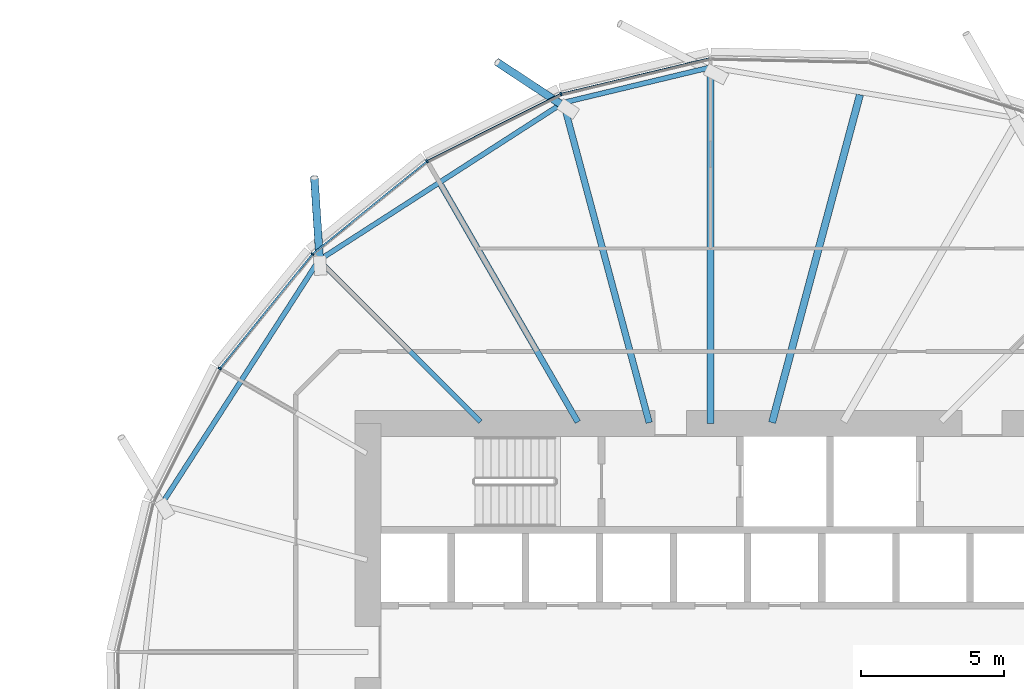
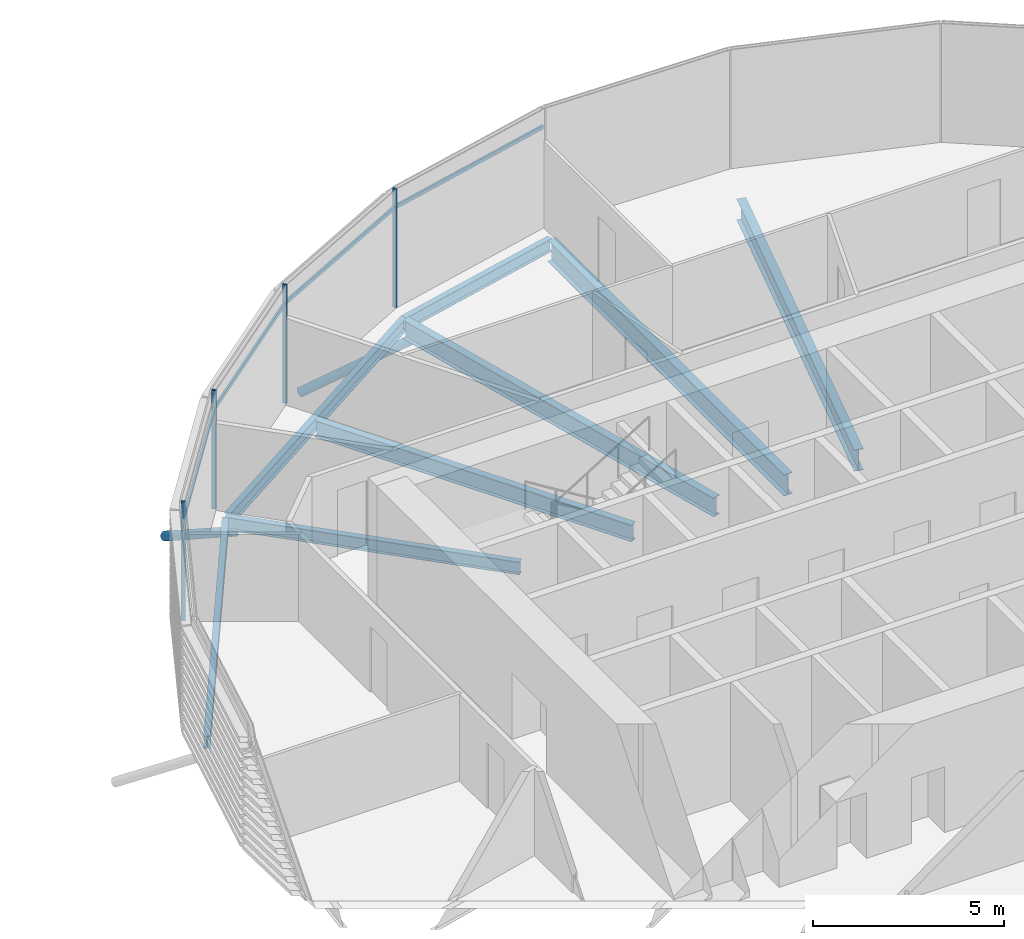
# One storey, part 16 of 36: 10 members, 8 beams, 1 element without a shape of its own.
"""IFC4 building model written with IfcOpenShell, lengths in metres."""

from ifc_helpers import new_model, si_unit, direction, frame, origin, origin_2d, place, context, subcontext, project, spatial, rectangle, hollow_circle, i_section, extrude, clip, halfspace, material, material_profile, profile_set, type_object, element, aggregate, save


model = new_model("IFC4")

# Units and contexts
model_context = context("Model", 3, precision=1e-05, world=origin(), true_north=direction((0.0, 1.0)))
body_context = subcontext(model_context, "Body", "Model", "MODEL_VIEW")
ifc_project = project(units=[si_unit("LENGTHUNIT", "METRE"), si_unit("AREAUNIT", "SQUARE_METRE"), si_unit("VOLUMEUNIT", "CUBIC_METRE"), si_unit("PLANEANGLEUNIT", "RADIAN"), si_unit("MASSUNIT", "GRAM", prefix="KILO")], contexts=[model_context])

# Site, building, storey
site_placement = place(None, origin())
site = spatial("IfcSite", under=ifc_project, at=site_placement, CompositionType="ELEMENT")
building_placement = place(site_placement, origin())
building = spatial("IfcBuilding", under=site, at=building_placement, Name="Rimbun Link Towers", CompositionType="ELEMENT")
storey_placement = place(building_placement, frame((0.0, 0.0, 37.60009765625)))
storey = spatial("IfcBuildingStorey", under=building, at=storey_placement, Name="L08", CompositionType="ELEMENT", Elevation=37.60009765625)

# Curtain wall, members
ifc_material_1 = material(Name="Aluminium 6063-T6 and low-iron glass", Category="aluminium")
curtain_wall_type = type_object("IfcCurtainWallType", Name="CW1 unitised vision wall", PredefinedType="NOTDEFINED", material=ifc_material_1)
curtain_wall_placement = place(storey_placement, origin())
curtain_wall = element("IfcCurtainWall", 1, at=curtain_wall_placement, inside=storey, type_object=curtain_wall_type, Name="CW1 L08 T2", PredefinedType="NOTDEFINED")
ifc_material_2 = material(Name="Aluminium 6063-T6", Category="aluminium")
ifc_material_profile_1 = material_profile(ifc_material_2, rectangle(XDim=0.1201171875, YDim=0.06005859375, at=origin_2d()), Name="MULLION 60X120")
ifc_profile_set_1 = profile_set([ifc_material_profile_1], Name="Aluminium 6063-T6")
member_type_1 = type_object("IfcMemberType", Name="CW1 mullion 60X120", PredefinedType="MULLION", material=ifc_profile_set_1)
member_1_placement = place(storey_placement, frame((26.508544921875, 19.541259765625, 0.0), z_axis=(0.0, 0.0, 1.0), x_axis=(-0.342970721402, 0.939346093972, 0.0)))
member_1 = element("IfcMember", 2, at=member_1_placement, type_object=member_type_1, Name="CW1 mullion", PredefinedType="MULLION", context=body_context, shape_type="SweptSolid", body=[
    extrude(rectangle(XDim=0.1201171875, YDim=0.06005859375, at=origin_2d()), origin(), (0.0, 0.0, 1.0), 3.7998046875),
])
member_2_placement = place(storey_placement, frame((21.822998046875, 17.188232421875, 0.0), z_axis=(0.0, 0.0, 1.0), x_axis=(-0.542093221733, 0.840318355715, 0.0)))
member_2 = element("IfcMember", 3, at=member_2_placement, type_object=member_type_1, Name="CW1 mullion", PredefinedType="MULLION", context=body_context, shape_type="SweptSolid", body=[
    extrude(rectangle(XDim=0.1201171875, YDim=0.06005859375, at=origin_2d()), origin(), (0.0, 0.0, 1.0), 3.7998046875),
])
member_3_placement = place(storey_placement, frame((17.81005859375, 13.93994140625, 0.0), z_axis=(0.0, 0.0, 1.0), x_axis=(-0.707106781187, 0.707106781187, 0.0)))
member_3 = element("IfcMember", 4, at=member_3_placement, type_object=member_type_1, Name="CW1 mullion", PredefinedType="MULLION", context=body_context, shape_type="SweptSolid", body=[
    extrude(rectangle(XDim=0.1201171875, YDim=0.06005859375, at=origin_2d()), origin(), (0.0, 0.0, 1.0), 3.7998046875),
])
member_4_placement = place(storey_placement, frame((14.561767578125, 9.927001953125, 0.0), z_axis=(0.0, 0.0, 1.0), x_axis=(-0.840318355715, 0.542093221733, 0.0)))
member_4 = element("IfcMember", 5, at=member_4_placement, type_object=member_type_1, Name="CW1 mullion", PredefinedType="MULLION", context=body_context, shape_type="SweptSolid", body=[
    extrude(rectangle(XDim=0.1201171875, YDim=0.06005859375, at=origin_2d()), origin(), (0.0, 0.0, 1.0), 3.7998046875),
])
ifc_material_3 = material(Name="Aluminium 6063-T6", Category="aluminium")
ifc_material_profile_2 = material_profile(ifc_material_3, rectangle(XDim=0.06005859375, YDim=0.1201171875, at=origin_2d()), Name="TRANSOM 60X120")
ifc_profile_set_2 = profile_set([ifc_material_profile_2], Name="Aluminium 6063-T6")
member_type_2 = type_object("IfcMemberType", Name="CW1 transom 60X120", PredefinedType="USERDEFINED", material=ifc_profile_set_2)
member_5_placement = place(storey_placement, frame((26.544677734375, 19.548095703125, 3.199951171875), z_axis=(0.972564867926, 0.232631850088, 0.0), x_axis=(-0.232631850088, 0.972564867926, 0.0)))
member_5 = element("IfcMember", 6, at=member_5_placement, type_object=member_type_2, Name="CW1 transom", ObjectType="TRANSOM", PredefinedType="USERDEFINED", context=body_context, shape_type="SweptSolid", body=[
    extrude(rectangle(XDim=0.06005859375, YDim=0.1201171875, at=origin_2d()), origin(), (0.0, 0.0, 1.0), 5.308349609375),
])
member_6_placement = place(storey_placement, frame((21.856201171875, 17.203125, 3.199951171875), z_axis=(0.893651389739, 0.448761845101, 0.0), x_axis=(-0.448761845101, 0.893651389739, 0.0)))
member_6 = element("IfcMember", 7, at=member_6_placement, type_object=member_type_2, Name="CW1 transom", ObjectType="TRANSOM", PredefinedType="USERDEFINED", context=body_context, shape_type="SweptSolid", body=[
    extrude(rectangle(XDim=0.06005859375, YDim=0.1201171875, at=origin_2d()), origin(), (0.0, 0.0, 1.0), 5.169921875),
])
member_7_placement = place(storey_placement, frame((17.839111328125, 13.961669921875, 3.199951171875), z_axis=(0.77729513126, 0.629136137032, 0.0), x_axis=(-0.629136137032, 0.77729513126, 0.0)))
member_7 = element("IfcMember", 8, at=member_7_placement, type_object=member_type_2, Name="CW1 transom", ObjectType="TRANSOM", PredefinedType="USERDEFINED", context=body_context, shape_type="SweptSolid", body=[
    extrude(rectangle(XDim=0.06005859375, YDim=0.1201171875, at=origin_2d()), origin(), (0.0, 0.0, 1.0), 5.090087890625),
])
member_8_placement = place(storey_placement, frame((14.5859375, 9.954345703125, 3.199951171875), z_axis=(0.629136137032, 0.77729513126, 0.0), x_axis=(-0.77729513126, 0.629136137032, 0.0)))
member_8 = element("IfcMember", 9, at=member_8_placement, type_object=member_type_2, Name="CW1 transom", ObjectType="TRANSOM", PredefinedType="USERDEFINED", context=body_context, shape_type="SweptSolid", body=[
    extrude(rectangle(XDim=0.06005859375, YDim=0.1201171875, at=origin_2d()), origin(), (0.0, 0.0, 1.0), 5.090087890625),
])
aggregate(curtain_wall, [member_1, member_2, member_3, member_4, member_5, member_6, member_7, member_8])

# Members
ifc_material_4 = material(Name="Steel S355J2H", Category="steel")
ifc_material_profile_3 = material_profile(ifc_material_4, hollow_circle(Radius=0.136474609375, WallThickness=0.012451171875, at=origin_2d()), Name="CHS 273x12.5")
ifc_profile_set_3 = profile_set([ifc_material_profile_3], Name="Steel S355J2H")
member_type_3 = type_object("IfcMemberType", Name="Floor edge link CHS 273x12.5", PredefinedType="BRACE", material=ifc_profile_set_3)
member_9_placement = place(storey_placement, frame((26.63134765625, 19.10302734375, -0.87890625), z_axis=(-0.710258401379, 0.468188341791, -0.525673548775), x_axis=(-0.55036538944, -0.834923911567, 0.0)))
element("IfcMember", 10, at=member_9_placement, inside=storey, type_object=member_type_3, Name="Floor edge link T2 L08 04", PredefinedType="BRACE", context=body_context, shape_type="Clipping", body=[
    clip(extrude(hollow_circle(Radius=0.136474609375, WallThickness=0.012451171875, at=origin_2d()), frame((0.0, 0.0, -0.460693359375)), (0.0, 0.0, 1.0), 3.781982421875), halfspace(frame((0.0, 0.0, -0.21728515625), z_axis=(0.0, 0.850686381764, -0.525673548775)), False)),
])
member_10_placement = place(storey_placement, frame((18.0654296875, 13.6845703125, -0.682373046875), z_axis=(-0.055604157605, 0.845112810582, -0.531688362716), x_axis=(-0.997842514339, -0.065653001277, 0.0)))
element("IfcMember", 11, at=member_10_placement, inside=storey, type_object=member_type_3, Name="Floor edge link T2 L08 06", PredefinedType="BRACE", context=body_context, shape_type="Clipping", body=[
    clip(extrude(hollow_circle(Radius=0.136474609375, WallThickness=0.012451171875, at=origin_2d()), frame((0.0, 0.0, -0.45361328125)), (0.0, 0.0, 1.0), 3.92236328125), halfspace(frame((0.0, 0.0, -0.214111328125), z_axis=(0.0, 0.846940071642, -0.531688362716)), False)),
])

# Beams
ifc_material_5 = material(Name="Steel S355J2", Category="steel")
ifc_material_profile_4 = material_profile(ifc_material_5, i_section(OverallWidth=0.177978515625, OverallDepth=0.406494140625, WebThickness=0.0078125, FlangeThickness=0.0126953125, at=origin_2d()), Name="UB 406x178x60")
ifc_profile_set_4 = profile_set([ifc_material_profile_4], Name="Steel S355J2")
beam_type_1 = type_object("IfcBeamType", Name="UB 406x178x60", PredefinedType="BEAM", material=ifc_profile_set_4)
beam_1_placement = place(storey_placement, frame((23.686279296875, 8.063720703125, -0.36328125), z_axis=(-0.707106781187, 0.707106781187, 0.0), x_axis=(-0.707106781187, -0.707106781187, 0.0)))
element("IfcBeam", 12, at=beam_1_placement, inside=storey, type_object=beam_type_1, Name="Radial beam T2 L08 06", PredefinedType="BEAM", context=body_context, shape_type="SweptSolid", body=[
    extrude(i_section(OverallWidth=0.177978515625, OverallDepth=0.406494140625, WebThickness=0.0078125, FlangeThickness=0.0126953125, at=origin_2d()), origin(), (0.0, 0.0, 1.0), 7.998779296875),
])
beam_2_placement = place(storey_placement, frame((31.7490234375, 20.476318359375, -0.36328125), z_axis=(-0.972329145615, -0.233615137753, 0.0), x_axis=(0.233615137753, -0.972329145615, 0.0)))
element("IfcBeam", 13, at=beam_2_placement, inside=storey, type_object=beam_type_1, Name="Edge beam T2 L08 03", PredefinedType="BEAM", context=body_context, shape_type="SweptSolid", body=[
    extrude(i_section(OverallWidth=0.177978515625, OverallDepth=0.406494140625, WebThickness=0.0078125, FlangeThickness=0.0126953125, at=origin_2d()), origin(), (0.0, 0.0, 1.0), 5.299560546875),
])
beam_3_placement = place(storey_placement, frame((26.59423828125, 19.23779296875, -0.36328125), z_axis=(-0.840628043826, -0.541612861676, 0.0), x_axis=(0.541612861676, -0.840628043826, 0.0)))
element("IfcBeam", 14, at=beam_3_placement, inside=storey, type_object=beam_type_1, Name="Edge beam T2 L08 04-06", PredefinedType="BEAM", context=body_context, shape_type="SweptSolid", body=[
    extrude(i_section(OverallWidth=0.177978515625, OverallDepth=0.406494140625, WebThickness=0.0078125, FlangeThickness=0.0126953125, at=origin_2d()), origin(), (0.0, 0.0, 1.0), 10.095703125),
])
beam_4_placement = place(storey_placement, frame((17.980224609375, 13.642578125, -0.36328125), z_axis=(-0.541592488926, -0.840641169548, 0.0), x_axis=(0.840641169548, -0.541592488926, 0.0)))
element("IfcBeam", 15, at=beam_4_placement, inside=storey, type_object=beam_type_1, Name="Edge beam T2 L08 06-08", PredefinedType="BEAM", context=body_context, shape_type="SweptSolid", body=[
    extrude(i_section(OverallWidth=0.177978515625, OverallDepth=0.406494140625, WebThickness=0.0078125, FlangeThickness=0.0126953125, at=origin_2d()), origin(), (0.0, 0.0, 1.0), 10.00244140625),
])
ifc_material_6 = material(Name="Steel S355J2", Category="steel")
ifc_material_profile_5 = material_profile(ifc_material_6, i_section(OverallWidth=0.209228515625, OverallDepth=0.533203125, WebThickness=0.010009765625, FlangeThickness=0.015625, at=origin_2d()), Name="UB 533x210x92")
ifc_profile_set_5 = profile_set([ifc_material_profile_5], Name="Steel S355J2")
beam_type_2 = type_object("IfcBeamType", Name="UB 533x210x92", PredefinedType="BEAM", material=ifc_profile_set_5)
beam_5_placement = place(storey_placement, frame((27.1005859375, 8.05322265625, -0.426513671875), z_axis=(-0.500002100233, 0.866024191211, 0.0), x_axis=(-0.866024191211, -0.500002100233, 0.0)))
element("IfcBeam", 16, at=beam_5_placement, inside=storey, type_object=beam_type_2, Name="Radial beam T2 L08 05", PredefinedType="BEAM", context=body_context, shape_type="SweptSolid", body=[
    extrude(i_section(OverallWidth=0.209228515625, OverallDepth=0.533203125, WebThickness=0.010009765625, FlangeThickness=0.015625, at=origin_2d()), origin(), (0.0, 0.0, 1.0), 9.59765625),
])
ifc_material_7 = material(Name="Steel S355J2", Category="steel")
ifc_material_profile_6 = material_profile(ifc_material_7, i_section(OverallWidth=0.2275390625, OverallDepth=0.6025390625, WebThickness=0.010498046875, FlangeThickness=0.014892578125, at=origin_2d()), Name="UB 610x229x101")
ifc_profile_set_6 = profile_set([ifc_material_profile_6], Name="Steel S355J2")
beam_type_3 = type_object("IfcBeamType", Name="UB 610x229x101", PredefinedType="BEAM", material=ifc_profile_set_6)
beam_6_placement = place(storey_placement, frame((29.598388671875, 8.030517578125, -0.46142578125), z_axis=(-0.258831832706, 0.96592239977, 0.0), x_axis=(-0.96592239977, -0.258831832706, 0.0)))
element("IfcBeam", 17, at=beam_6_placement, inside=storey, type_object=beam_type_3, Name="Radial beam T2 L08 04", PredefinedType="BEAM", context=body_context, shape_type="SweptSolid", body=[
    extrude(i_section(OverallWidth=0.2275390625, OverallDepth=0.6025390625, WebThickness=0.010498046875, FlangeThickness=0.014892578125, at=origin_2d()), origin(), (0.0, 0.0, 1.0), 11.51318359375),
])
ifc_material_8 = material(Name="Steel S355J2", Category="steel")
ifc_material_profile_7 = material_profile(ifc_material_8, i_section(OverallWidth=0.253662109375, OverallDepth=0.68359375, WebThickness=0.012451171875, FlangeThickness=0.01904296875, at=origin_2d()), Name="UB 686x254x140")
ifc_profile_set_7 = profile_set([ifc_material_profile_7], Name="Steel S355J2")
beam_type_4 = type_object("IfcBeamType", Name="UB 686x254x140", PredefinedType="BEAM", material=ifc_profile_set_7)
beam_7_placement = place(storey_placement, frame((33.902587890625, 8.03369140625, -0.501708984375), z_axis=(0.258821983454, 0.965925038955, 0.0), x_axis=(-0.965925038955, 0.258821983454, 0.0)))
element("IfcBeam", 18, at=beam_7_placement, inside=storey, type_object=beam_type_4, Name="Radial beam T2 L08 02", PredefinedType="BEAM", context=body_context, shape_type="SweptSolid", body=[
    extrude(i_section(OverallWidth=0.253662109375, OverallDepth=0.68359375, WebThickness=0.012451171875, FlangeThickness=0.01904296875, at=origin_2d()), origin(), (0.0, 0.0, 1.0), 11.88623046875),
])
beam_8_placement = place(storey_placement, frame((31.75, 8.0009765625, -0.501708984375), z_axis=(0.0, 1.0, 0.0), x_axis=(-1.0, 0.0, 0.0)))
element("IfcBeam", 19, at=beam_8_placement, inside=storey, type_object=beam_type_4, Name="Radial beam T2 L08 03", PredefinedType="BEAM", context=body_context, shape_type="SweptSolid", body=[
    extrude(i_section(OverallWidth=0.253662109375, OverallDepth=0.68359375, WebThickness=0.012451171875, FlangeThickness=0.01904296875, at=origin_2d()), origin(), (0.0, 0.0, 1.0), 12.383056640625),
])

save(model, "model.ifc")
